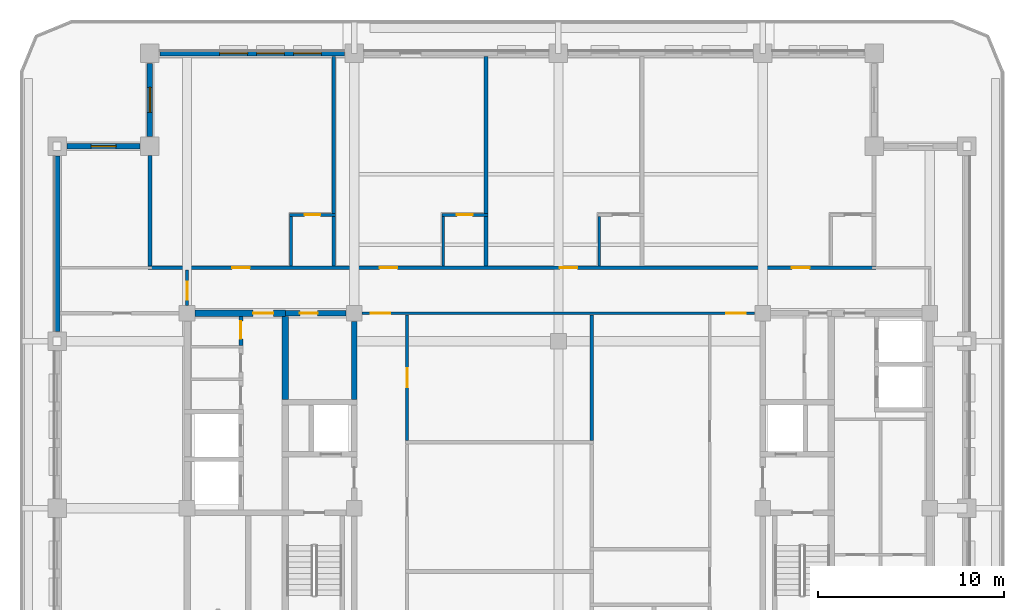
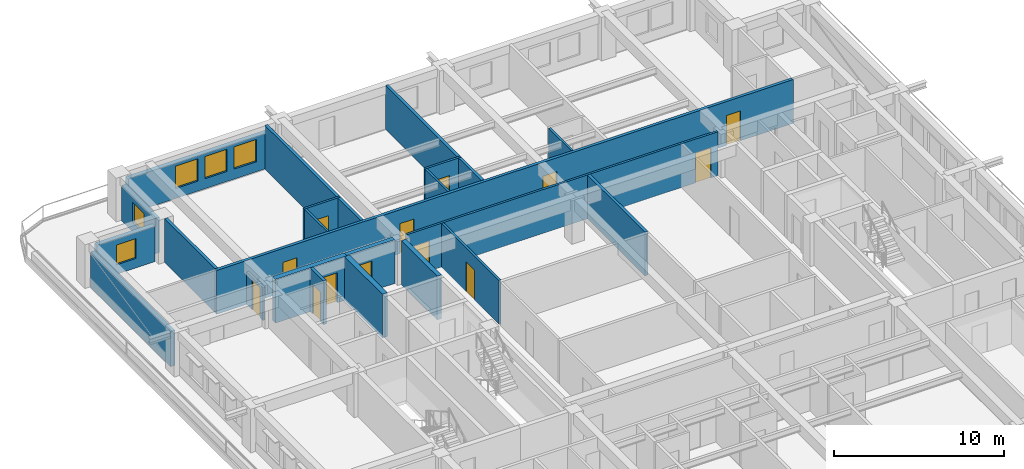
# One storey, part 6 of 15: 24 walls, 13 doors, 5 windows, 18 openings.
"""IFC4 building model written with IfcOpenShell, lengths in metres."""

from ifc_helpers import new_model, si_unit, direction, frame, frame_2d, origin, place, context, subcontext, project, spatial, rectangle, extrude, material, layer, layer_set, type_object, element, fill, save


model = new_model("IFC4")

# Units and contexts
model_context = context("Model", 3, precision=1e-05, world=origin(), true_north=direction((0.0, 1.0)))
body_context = subcontext(model_context, "Body", "Model", "MODEL_VIEW")
ifc_project = project(units=[si_unit("LENGTHUNIT", "METRE"), si_unit("AREAUNIT", "SQUARE_METRE"), si_unit("VOLUMEUNIT", "CUBIC_METRE"), si_unit("PLANEANGLEUNIT", "RADIAN"), si_unit("MASSUNIT", "GRAM", prefix="KILO")], contexts=[model_context])

# Site, building, storey
site_placement = place(None, origin())
site = spatial("IfcSite", under=ifc_project, at=site_placement, CompositionType="ELEMENT")
building_placement = place(site_placement, origin())
building = spatial("IfcBuilding", under=site, at=building_placement, Name="Zulmaris Gate Convention Tower", CompositionType="ELEMENT")
storey_placement = place(building_placement, frame((0.0, 0.0, 201.659912109375)))
storey = spatial("IfcBuildingStorey", under=building, at=storey_placement, Name="L52", CompositionType="ELEMENT", Elevation=201.659912109375)

# Wall, opening, door
ifc_material_1 = material(Name="Concrete C50/60", Category="concrete")
ifc_layer_1 = layer(ifc_material_1, 0.300048828125, Name="Concrete C50/60")
ifc_layer_set_1 = layer_set([ifc_layer_1], Name="Concrete C50/60")
wall_type_1 = type_object("IfcWallType", Name="CORE-300", PredefinedType="SHEAR", material=ifc_layer_set_1)
wall_1_placement = place(storey_placement, frame((-14.699951171875, 10.5, 0.0), z_axis=(0.0, 0.0, 1.0), x_axis=(1.0, 0.0, 0.0)))
wall_1 = element("IfcWall", 1, at=wall_1_placement, inside=storey, type_object=wall_type_1, Name="WL-L52-016", PredefinedType="SHEAR", context=body_context, shape_type="SweptSolid", body=[
    extrude(rectangle(XDim=3.27099609375, YDim=0.300048828125, at=frame_2d((1.635498046875, 0.0))), origin(), (0.0, 0.0, 1.0), 3.150146484375),
])
opening_1_placement = place(wall_1_placement, frame((0.77490234375, 0.0, 0.0)))
opening_1 = element("IfcOpeningElement", 2, at=opening_1_placement, cuts=wall_1, Name="Opening D-11", PredefinedType="OPENING", context=body_context, shape_type="SweptSolid", body=[
    extrude(rectangle(XDim=0.949951171875, YDim=2.14990234375, at=frame_2d((0.47509765625, 1.074951171875))), frame((0.0, 0.16015625, 0.0), z_axis=(0.0, -1.0, 0.0), x_axis=(1.0, 0.0, 0.0)), (0.0, 0.0, 1.0), 0.320068359375),
])
ifc_material_2 = material(Name="Fire-Rated Timber", Category="wood")
door_type_1 = type_object("IfcDoorType", Name="DR-950-FD", OperationType="NOTDEFINED", PredefinedType="DOOR", material=ifc_material_2)
door_1_placement = place(opening_1_placement, origin())
door_1 = element("IfcDoor", 3, at=door_1_placement, inside=storey, type_object=door_type_1, Name="L52 Core Archive Door 07", OperationType="SINGLE_SWING_LEFT", OverallHeight=2.14990234375, OverallWidth=0.949951171875, PredefinedType="DOOR", context=body_context, shape_type="SweptSolid", body=[
    extrude(rectangle(XDim=0.949951171875, YDim=2.14990234375, at=frame_2d((0.47509765625, 1.074951171875))), frame((0.0, 0.02490234375, 0.0), z_axis=(0.0, -1.0, 0.0), x_axis=(1.0, 0.0, 0.0)), (0.0, 0.0, 1.0), 0.050048828125),
])
fill(opening_1, door_1)

# Wall
wall_2_placement = place(storey_placement, frame((-11.0, 5.85205078125, 0.0), z_axis=(0.0, 0.0, 1.0), x_axis=(0.0, 1.0, 0.0)))
element("IfcWall", 4, at=wall_2_placement, inside=storey, type_object=wall_type_1, Name="WL-L52-061", PredefinedType="SHEAR", context=body_context, shape_type="SweptSolid", body=[
    extrude(rectangle(XDim=4.218994140625, YDim=0.300048828125, at=frame_2d((2.109375, 0.0))), origin(), (0.0, 0.0, 1.0), 3.150146484375),
])

# Wall, opening, door
ifc_material_3 = material(Name="Concrete C55/67", Category="concrete")
ifc_layer_2 = layer(ifc_material_3, 0.35009765625, Name="Concrete C55/67")
ifc_layer_set_2 = layer_set([ifc_layer_2], Name="Concrete C55/67")
wall_type_2 = type_object("IfcWallType", Name="CORE-350", PredefinedType="SHEAR", material=ifc_layer_set_2)
wall_3_placement = place(storey_placement, frame((-19.571044921875, 10.5, 0.0), z_axis=(0.0, 0.0, 1.0), x_axis=(1.0, 0.0, 0.0)))
wall_3 = element("IfcWall", 5, at=wall_3_placement, inside=storey, type_object=wall_type_2, Name="WL-L52-015", PredefinedType="SHEAR", context=body_context, shape_type="SweptSolid", body=[
    extrude(rectangle(XDim=4.87109375, YDim=0.35009765625, at=frame_2d((2.435546875, 0.0))), origin(), (0.0, 0.0, 1.0), 3.150146484375),
])
opening_2_placement = place(wall_3_placement, frame((3.12109375, 0.0, 0.0)))
opening_2 = element("IfcOpeningElement", 6, at=opening_2_placement, cuts=wall_3, Name="Opening D-08", PredefinedType="OPENING", context=body_context, shape_type="SweptSolid", body=[
    extrude(rectangle(XDim=1.10009765625, YDim=2.14990234375, at=frame_2d((0.550048828125, 1.074951171875))), frame((0.0, 0.18505859375, 0.0), z_axis=(0.0, -1.0, 0.0), x_axis=(1.0, 0.0, 0.0)), (0.0, 0.0, 1.0), 0.3701171875),
])
ifc_material_4 = material(Name="Fire-Rated Steel", Category="steel")
door_type_2 = type_object("IfcDoorType", Name="DR-1100-FD", OperationType="NOTDEFINED", PredefinedType="DOOR", material=ifc_material_4)
door_2_placement = place(opening_2_placement, origin())
door_2 = element("IfcDoor", 7, at=door_2_placement, inside=storey, type_object=door_type_2, Name="L52 High-Rise West Lift Lobby Door 13", OperationType="SINGLE_SWING_LEFT", OverallHeight=2.14990234375, OverallWidth=1.10009765625, PredefinedType="DOOR", context=body_context, shape_type="SweptSolid", body=[
    extrude(rectangle(XDim=1.10009765625, YDim=2.14990234375, at=frame_2d((0.550048828125, 1.074951171875))), frame((0.0, 0.02490234375, 0.0), z_axis=(0.0, -1.0, 0.0), x_axis=(1.0, 0.0, 0.0)), (0.0, 0.0, 1.0), 0.050048828125),
])
fill(opening_2, door_2)

# Wall
wall_4_placement = place(storey_placement, frame((-14.699951171875, 5.85205078125, 0.0), z_axis=(0.0, 0.0, 1.0), x_axis=(0.0, 1.0, 0.0)))
element("IfcWall", 8, at=wall_4_placement, inside=storey, type_object=wall_type_2, Name="WL-L52-055", PredefinedType="SHEAR", context=body_context, shape_type="SweptSolid", body=[
    extrude(rectangle(XDim=4.470947265625, YDim=0.35009765625, at=frame_2d((2.2353515625, 0.0))), origin(), (0.0, 0.0, 1.0), 3.150146484375),
])

# Wall, openings, doors
ifc_material_5 = material(Name="Gypsum Metal Stud Partition")
ifc_layer_3 = layer(ifc_material_5, 0.14990234375, Name="Gypsum Metal Stud Partition")
ifc_layer_set_3 = layer_set([ifc_layer_3], Name="Gypsum Metal Stud Partition")
wall_type_3 = type_object("IfcWallType", Name="PART-150", PredefinedType="PARTITIONING", material=ifc_layer_set_3)
wall_5_placement = place(storey_placement, frame((-10.569091796875, 10.5, 0.0), z_axis=(0.0, 0.0, 1.0), x_axis=(1.0, 0.0, 0.0)))
wall_5 = element("IfcWall", 9, at=wall_5_placement, inside=storey, type_object=wall_type_3, Name="WL-L52-037", PredefinedType="PARTITIONING", context=body_context, shape_type="SweptSolid", body=[
    extrude(rectangle(XDim=21.13818359375, YDim=0.14990234375, at=frame_2d((10.569091796875, 0.0))), origin(), (0.0, 0.0, 1.0), 3.150146484375),
])
opening_3_placement = place(wall_5_placement, frame((0.47412109375, 0.0, 0.0)))
opening_3 = element("IfcOpeningElement", 10, at=opening_3_placement, cuts=wall_5, Name="Opening D-09", PredefinedType="OPENING", context=body_context, shape_type="SweptSolid", body=[
    extrude(rectangle(XDim=1.050048828125, YDim=2.14990234375, at=frame_2d((0.52490234375, 1.074951171875))), frame((0.0, 0.0849609375, 0.0), z_axis=(0.0, -1.0, 0.0), x_axis=(1.0, 0.0, 0.0)), (0.0, 0.0, 1.0), 0.169921875),
])
opening_4_placement = place(wall_5_placement, frame((19.614013671875, 0.0, 0.0)))
opening_4 = element("IfcOpeningElement", 11, at=opening_4_placement, cuts=wall_5, Name="Opening D-09", PredefinedType="OPENING", context=body_context, shape_type="SweptSolid", body=[
    extrude(rectangle(XDim=1.050048828125, YDim=2.14990234375, at=frame_2d((0.52490234375, 1.074951171875))), frame((0.0, 0.0849609375, 0.0), z_axis=(0.0, -1.0, 0.0), x_axis=(1.0, 0.0, 0.0)), (0.0, 0.0, 1.0), 0.169921875),
])
door_type_3 = type_object("IfcDoorType", Name="DR-1050-FD", OperationType="NOTDEFINED", PredefinedType="DOOR", material=ifc_material_4)
door_3_placement = place(opening_3_placement, origin())
door_3 = element("IfcDoor", 12, at=door_3_placement, inside=storey, type_object=door_type_3, Name="L52 NW Hotel Loop Door 24", OperationType="SINGLE_SWING_RIGHT", OverallHeight=2.14990234375, OverallWidth=1.050048828125, PredefinedType="DOOR", context=body_context, shape_type="SweptSolid", body=[
    extrude(rectangle(XDim=1.050048828125, YDim=2.14990234375, at=frame_2d((0.52490234375, 1.074951171875))), frame((0.0, 0.02490234375, 0.0), z_axis=(0.0, -1.0, 0.0), x_axis=(1.0, 0.0, 0.0)), (0.0, 0.0, 1.0), 0.050048828125),
])
fill(opening_3, door_3)
door_4_placement = place(opening_4_placement, origin())
door_4 = element("IfcDoor", 13, at=door_4_placement, inside=storey, type_object=door_type_3, Name="L52 NE Hotel Loop Door 26", OperationType="SINGLE_SWING_RIGHT", OverallHeight=2.14990234375, OverallWidth=1.050048828125, PredefinedType="DOOR", context=body_context, shape_type="SweptSolid", body=[
    extrude(rectangle(XDim=1.050048828125, YDim=2.14990234375, at=frame_2d((0.52490234375, 1.074951171875))), frame((0.0, 0.02490234375, 0.0), z_axis=(0.0, -1.0, 0.0), x_axis=(1.0, 0.0, 0.0)), (0.0, 0.0, 1.0), 0.050048828125),
])
fill(opening_4, door_4)

# Wall, opening, door
wall_6_placement = place(storey_placement, frame((-14.47509765625, 15.800048828125, 0.0), z_axis=(0.0, 0.0, 1.0), x_axis=(1.0, 0.0, 0.0)))
wall_6 = element("IfcWall", 14, at=wall_6_placement, inside=storey, type_object=wall_type_3, Name="WL-L52-041", PredefinedType="PARTITIONING", context=body_context, shape_type="SweptSolid", body=[
    extrude(rectangle(XDim=2.47509765625, YDim=0.14990234375, at=frame_2d((1.237548828125, 0.0))), origin(), (0.0, 0.0, 1.0), 3.150146484375),
])
opening_5_placement = place(wall_6_placement, frame((0.800048828125, 0.0, 0.0)))
opening_5 = element("IfcOpeningElement", 15, at=opening_5_placement, cuts=wall_6, Name="Opening D-17", PredefinedType="OPENING", context=body_context, shape_type="SweptSolid", body=[
    extrude(rectangle(XDim=0.85009765625, YDim=2.10009765625, at=frame_2d((0.425048828125, 1.050048828125))), frame((0.0, 0.0849609375, 0.0), z_axis=(0.0, -1.0, 0.0), x_axis=(1.0, 0.0, 0.0)), (0.0, 0.0, 1.0), 0.169921875),
])
ifc_material_6 = material(Name="Moisture-Resistant Hardwood Timber", Category="wood")
door_type_4 = type_object("IfcDoorType", Name="DR-850", OperationType="NOTDEFINED", PredefinedType="DOOR", material=ifc_material_6)
door_5_placement = place(opening_5_placement, origin())
door_5 = element("IfcDoor", 16, at=door_5_placement, inside=storey, type_object=door_type_4, Name="L52 En-Suite Door 29", OperationType="SINGLE_SWING_LEFT", OverallHeight=2.10009765625, OverallWidth=0.85009765625, PredefinedType="DOOR", context=body_context, shape_type="SweptSolid", body=[
    extrude(rectangle(XDim=0.85009765625, YDim=2.10009765625, at=frame_2d((0.425048828125, 1.050048828125))), frame((0.0, 0.02490234375, 0.0), z_axis=(0.0, -1.0, 0.0), x_axis=(1.0, 0.0, 0.0)), (0.0, 0.0, 1.0), 0.050048828125),
])
fill(opening_5, door_5)

wall_7_placement = place(storey_placement, frame((-6.27490234375, 15.800048828125, 0.0), z_axis=(0.0, 0.0, 1.0), x_axis=(1.0, 0.0, 0.0)))
wall_7 = element("IfcWall", 17, at=wall_7_placement, inside=storey, type_object=wall_type_3, Name="WL-L52-042", PredefinedType="PARTITIONING", context=body_context, shape_type="SweptSolid", body=[
    extrude(rectangle(XDim=2.474853515625, YDim=0.14990234375, at=frame_2d((1.2373046875, 0.0))), origin(), (0.0, 0.0, 1.0), 3.150146484375),
])
opening_6_placement = place(wall_7_placement, frame((0.800048828125, 0.0, 0.0)))
opening_6 = element("IfcOpeningElement", 18, at=opening_6_placement, cuts=wall_7, Name="Opening D-17", PredefinedType="OPENING", context=body_context, shape_type="SweptSolid", body=[
    extrude(rectangle(XDim=0.85009765625, YDim=2.10009765625, at=frame_2d((0.425048828125, 1.050048828125))), frame((0.0, 0.0849609375, 0.0), z_axis=(0.0, -1.0, 0.0), x_axis=(1.0, 0.0, 0.0)), (0.0, 0.0, 1.0), 0.169921875),
])
door_6_placement = place(opening_6_placement, origin())
door_6 = element("IfcDoor", 19, at=door_6_placement, inside=storey, type_object=door_type_4, Name="L52 En-Suite Door 31", OperationType="SINGLE_SWING_LEFT", OverallHeight=2.10009765625, OverallWidth=0.85009765625, PredefinedType="DOOR", context=body_context, shape_type="SweptSolid", body=[
    extrude(rectangle(XDim=0.85009765625, YDim=2.10009765625, at=frame_2d((0.425048828125, 1.050048828125))), frame((0.0, 0.02490234375, 0.0), z_axis=(0.0, -1.0, 0.0), x_axis=(1.0, 0.0, 0.0)), (0.0, 0.0, 1.0), 0.050048828125),
])
fill(opening_6, door_6)

wall_8_placement = place(storey_placement, frame((-20.0, 10.930908203125, 0.0), z_axis=(0.0, 0.0, 1.0), x_axis=(0.0, 1.0, 0.0)))
wall_8 = element("IfcWall", 20, at=wall_8_placement, inside=storey, type_object=wall_type_3, Name="WL-L52-081", PredefinedType="PARTITIONING", context=body_context, shape_type="SweptSolid", body=[
    extrude(rectangle(XDim=1.916015625, YDim=0.14990234375, at=frame_2d((0.9580078125, 0.0))), origin(), (0.0, 0.0, 1.0), 2.34228515625),
])
opening_7_placement = place(wall_8_placement, frame((0.31396484375, 0.0, 0.0)))
opening_7 = element("IfcOpeningElement", 21, at=opening_7_placement, cuts=wall_8, Name="Opening D-11", PredefinedType="OPENING", context=body_context, shape_type="SweptSolid", body=[
    extrude(rectangle(XDim=0.949951171875, YDim=2.14990234375, at=frame_2d((0.47509765625, 1.074951171875))), frame((0.0, 0.0849609375, 0.0), z_axis=(0.0, -1.0, 0.0), x_axis=(1.0, 0.0, 0.0)), (0.0, 0.0, 1.0), 0.169921875),
])
door_7_placement = place(opening_7_placement, origin())
door_7 = element("IfcDoor", 22, at=door_7_placement, inside=storey, type_object=door_type_1, Name="L52 West Spur Door 54", OperationType="SINGLE_SWING_RIGHT", OverallHeight=2.14990234375, OverallWidth=0.949951171875, PredefinedType="DOOR", context=body_context, shape_type="SweptSolid", body=[
    extrude(rectangle(XDim=0.949951171875, YDim=2.14990234375, at=frame_2d((0.47509765625, 1.074951171875))), frame((0.0, 0.02490234375, 0.0), z_axis=(0.0, -1.0, 0.0), x_axis=(1.0, 0.0, 0.0)), (0.0, 0.0, 1.0), 0.050048828125),
])
fill(opening_7, door_7)

# Wall
wall_9_placement = place(storey_placement, frame((-14.39990234375, 13.052978515625, 0.0), z_axis=(0.0, 0.0, 1.0), x_axis=(0.0, 1.0, 0.0)))
element("IfcWall", 23, at=wall_9_placement, inside=storey, type_object=wall_type_3, Name="WL-L52-088", PredefinedType="PARTITIONING", context=body_context, shape_type="SweptSolid", body=[
    extrude(rectangle(XDim=2.6689453125, YDim=0.14990234375, at=frame_2d((1.33447265625, 0.0))), origin(), (0.0, 0.0, 1.0), 3.150146484375),
])

# Wall, opening, door
wall_10_placement = place(storey_placement, frame((-8.14990234375, 3.653076171875, 0.0), z_axis=(0.0, 0.0, 1.0), x_axis=(0.0, 1.0, 0.0)))
wall_10 = element("IfcWall", 24, at=wall_10_placement, inside=storey, type_object=wall_type_3, Name="WL-L52-096", PredefinedType="PARTITIONING", context=body_context, shape_type="SweptSolid", body=[
    extrude(rectangle(XDim=6.76904296875, YDim=0.14990234375, at=frame_2d((3.384521484375, 0.0))), origin(), (0.0, 0.0, 1.0), 3.150146484375),
])
opening_8_placement = place(wall_10_placement, frame((2.876953125, 0.0, 0.0)))
opening_8 = element("IfcOpeningElement", 25, at=opening_8_placement, cuts=wall_10, Name="Opening D-10", PredefinedType="OPENING", context=body_context, shape_type="SweptSolid", body=[
    extrude(rectangle(XDim=1.0, YDim=2.14990234375, at=frame_2d((0.5, 1.074951171875))), frame((0.0, 0.0849609375, 0.0), z_axis=(0.0, -1.0, 0.0), x_axis=(1.0, 0.0, 0.0)), (0.0, 0.0, 1.0), 0.169921875),
])
door_type_5 = type_object("IfcDoorType", Name="DR-1000-FD", OperationType="NOTDEFINED", PredefinedType="DOOR", material=ifc_material_2)
door_8_placement = place(opening_8_placement, origin())
door_8 = element("IfcDoor", 26, at=door_8_placement, inside=storey, type_object=door_type_5, Name="L52 Club Lounge Door 47", OperationType="SINGLE_SWING_LEFT", OverallHeight=2.14990234375, OverallWidth=1.0, PredefinedType="DOOR", context=body_context, shape_type="SweptSolid", body=[
    extrude(rectangle(XDim=1.0, YDim=2.14990234375, at=frame_2d((0.5, 1.074951171875))), frame((0.0, 0.02490234375, 0.0), z_axis=(0.0, -1.0, 0.0), x_axis=(1.0, 0.0, 0.0)), (0.0, 0.0, 1.0), 0.050048828125),
])
fill(opening_8, door_8)

# Walls
for number, where, z_axis, x_axis, name in (
    (27, (-6.199951171875, 13.052978515625, 0.0), (0.0, 0.0, 1.0), (0.0, 1.0, 0.0), "WL-L52-098"),
    (28, (2.199951171875, 13.052978515625, 0.0), (0.0, 0.0, 1.0), (0.0, 1.0, 0.0), "WL-L52-109"),
):
    element("IfcWall", number, at=place(storey_placement, frame(where, z_axis=z_axis, x_axis=x_axis)), inside=storey, type_object=wall_type_3, Name=name, PredefinedType="PARTITIONING", context=body_context, shape_type="SweptSolid", body=[
        extrude(rectangle(XDim=2.6689453125, YDim=0.14990234375, at=frame_2d((1.33447265625, 0.0))), origin(), (0.0, 0.0, 1.0), 3.150146484375),
    ])

# Wall, openings, doors
ifc_material_7 = material(Name="Autoclaved Aerated Concrete Block and Plasterboard", Category="concrete")
ifc_layer_4 = layer(ifc_material_7, 0.199951171875, Name="Autoclaved Aerated Concrete Block and Plasterboard")
ifc_layer_set_4 = layer_set([ifc_layer_4], Name="Autoclaved Aerated Concrete Block and Plasterboard")
wall_type_4 = type_object("IfcWallType", Name="PART-200", PredefinedType="PARTITIONING", material=ifc_layer_set_4)
wall_11_placement = place(storey_placement, frame((-22.10009765625, 12.949951171875, 0.0), z_axis=(0.0, 0.0, 1.0), x_axis=(1.0, 0.0, 0.0)))
wall_11 = element("IfcWall", 29, at=wall_11_placement, inside=storey, type_object=wall_type_4, Name="WL-L52-039", PredefinedType="PARTITIONING", context=body_context, shape_type="SweptSolid", body=[
    extrude(rectangle(XDim=39.2001953125, YDim=0.199951171875, at=frame_2d((19.60009765625, 0.0))), origin(), (0.0, 0.0, 1.0), 3.150146484375),
])
opening_9_placement = place(wall_11_placement, frame((4.52490234375, 0.0, 0.0)))
opening_9 = element("IfcOpeningElement", 30, at=opening_9_placement, cuts=wall_11, Name="Opening D-11", PredefinedType="OPENING", context=body_context, shape_type="SweptSolid", body=[
    extrude(rectangle(XDim=0.949951171875, YDim=2.14990234375, at=frame_2d((0.47509765625, 1.074951171875))), frame((0.0, 0.10986328125, 0.0), z_axis=(0.0, -1.0, 0.0), x_axis=(1.0, 0.0, 0.0)), (0.0, 0.0, 1.0), 0.219970703125),
])
opening_10_placement = place(wall_11_placement, frame((12.47509765625, 0.0, 0.0)))
opening_10 = element("IfcOpeningElement", 31, at=opening_10_placement, cuts=wall_11, Name="Opening D-11", PredefinedType="OPENING", context=body_context, shape_type="SweptSolid", body=[
    extrude(rectangle(XDim=0.949951171875, YDim=2.14990234375, at=frame_2d((0.47509765625, 1.074951171875))), frame((0.0, 0.10986328125, 0.0), z_axis=(0.0, -1.0, 0.0), x_axis=(1.0, 0.0, 0.0)), (0.0, 0.0, 1.0), 0.219970703125),
])
opening_11_placement = place(wall_11_placement, frame((22.175048828125, 0.0, 0.0)))
opening_11 = element("IfcOpeningElement", 32, at=opening_11_placement, cuts=wall_11, Name="Opening D-11", PredefinedType="OPENING", context=body_context, shape_type="SweptSolid", body=[
    extrude(rectangle(XDim=0.949951171875, YDim=2.14990234375, at=frame_2d((0.47509765625, 1.074951171875))), frame((0.0, 0.10986328125, 0.0), z_axis=(0.0, -1.0, 0.0), x_axis=(1.0, 0.0, 0.0)), (0.0, 0.0, 1.0), 0.219970703125),
])
opening_12_placement = place(wall_11_placement, frame((34.675048828125, 0.0, 0.0)))
opening_12 = element("IfcOpeningElement", 33, at=opening_12_placement, cuts=wall_11, Name="Opening D-11", PredefinedType="OPENING", context=body_context, shape_type="SweptSolid", body=[
    extrude(rectangle(XDim=0.949951171875, YDim=2.14990234375, at=frame_2d((0.47509765625, 1.074951171875))), frame((0.0, 0.10986328125, 0.0), z_axis=(0.0, -1.0, 0.0), x_axis=(1.0, 0.0, 0.0)), (0.0, 0.0, 1.0), 0.219970703125),
])
door_9_placement = place(opening_9_placement, origin())
door_9 = element("IfcDoor", 34, at=door_9_placement, inside=storey, type_object=door_type_1, Name="L52 Hotel Diplomatic Suite Door 28", OperationType="SINGLE_SWING_RIGHT", OverallHeight=2.14990234375, OverallWidth=0.949951171875, PredefinedType="DOOR", context=body_context, shape_type="SweptSolid", body=[
    extrude(rectangle(XDim=0.949951171875, YDim=2.14990234375, at=frame_2d((0.47509765625, 1.074951171875))), frame((0.0, 0.02490234375, 0.0), z_axis=(0.0, -1.0, 0.0), x_axis=(1.0, 0.0, 0.0)), (0.0, 0.0, 1.0), 0.050048828125),
])
fill(opening_9, door_9)
door_10_placement = place(opening_10_placement, origin())
door_10 = element("IfcDoor", 35, at=door_10_placement, inside=storey, type_object=door_type_1, Name="L52 Hotel Diplomatic Suite Door 30", OperationType="SINGLE_SWING_RIGHT", OverallHeight=2.14990234375, OverallWidth=0.949951171875, PredefinedType="DOOR", context=body_context, shape_type="SweptSolid", body=[
    extrude(rectangle(XDim=0.949951171875, YDim=2.14990234375, at=frame_2d((0.47509765625, 1.074951171875))), frame((0.0, 0.02490234375, 0.0), z_axis=(0.0, -1.0, 0.0), x_axis=(1.0, 0.0, 0.0)), (0.0, 0.0, 1.0), 0.050048828125),
])
fill(opening_10, door_10)
door_11_placement = place(opening_11_placement, origin())
door_11 = element("IfcDoor", 36, at=door_11_placement, inside=storey, type_object=door_type_1, Name="L52 Hotel Diplomatic Suite Door 32", OperationType="SINGLE_SWING_RIGHT", OverallHeight=2.14990234375, OverallWidth=0.949951171875, PredefinedType="DOOR", context=body_context, shape_type="SweptSolid", body=[
    extrude(rectangle(XDim=0.949951171875, YDim=2.14990234375, at=frame_2d((0.47509765625, 1.074951171875))), frame((0.0, 0.02490234375, 0.0), z_axis=(0.0, -1.0, 0.0), x_axis=(1.0, 0.0, 0.0)), (0.0, 0.0, 1.0), 0.050048828125),
])
fill(opening_11, door_11)
door_12_placement = place(opening_12_placement, origin())
door_12 = element("IfcDoor", 37, at=door_12_placement, inside=storey, type_object=door_type_1, Name="L52 Hotel Diplomatic Suite Door 34", OperationType="SINGLE_SWING_RIGHT", OverallHeight=2.14990234375, OverallWidth=0.949951171875, PredefinedType="DOOR", context=body_context, shape_type="SweptSolid", body=[
    extrude(rectangle(XDim=0.949951171875, YDim=2.14990234375, at=frame_2d((0.47509765625, 1.074951171875))), frame((0.0, 0.02490234375, 0.0), z_axis=(0.0, -1.0, 0.0), x_axis=(1.0, 0.0, 0.0)), (0.0, 0.0, 1.0), 0.050048828125),
])
fill(opening_12, door_12)

# Wall
wall_12_placement = place(storey_placement, frame((-22.0, 13.052978515625, 0.0), z_axis=(0.0, 0.0, 1.0), x_axis=(0.0, 1.0, 0.0)))
element("IfcWall", 38, at=wall_12_placement, inside=storey, type_object=wall_type_4, Name="WL-L52-079", PredefinedType="PARTITIONING", context=body_context, shape_type="SweptSolid", body=[
    extrude(rectangle(XDim=5.94091796875, YDim=0.199951171875, at=frame_2d((2.970458984375, 0.0))), origin(), (0.0, 0.0, 1.0), 3.150146484375),
])

# Wall, opening, door
wall_13_placement = place(storey_placement, frame((-17.10009765625, 8.778076171875, 0.0), z_axis=(0.0, 0.0, 1.0), x_axis=(0.0, 1.0, 0.0)))
wall_13 = element("IfcWall", 39, at=wall_13_placement, inside=storey, type_object=wall_type_4, Name="WL-L52-085", PredefinedType="PARTITIONING", context=body_context, shape_type="SweptSolid", body=[
    extrude(rectangle(XDim=1.5439453125, YDim=0.199951171875, at=frame_2d((0.77197265625, 0.0))), origin(), (0.0, 0.0, 1.0), 3.150146484375),
])
opening_13_placement = place(wall_13_placement, frame((0.346923828125, 0.0, 0.0)))
opening_13 = element("IfcOpeningElement", 40, at=opening_13_placement, cuts=wall_13, Name="Opening D-11", PredefinedType="OPENING", context=body_context, shape_type="SweptSolid", body=[
    extrude(rectangle(XDim=0.949951171875, YDim=2.14990234375, at=frame_2d((0.47509765625, 1.074951171875))), frame((0.0, 0.10986328125, 0.0), z_axis=(0.0, -1.0, 0.0), x_axis=(1.0, 0.0, 0.0)), (0.0, 0.0, 1.0), 0.219970703125),
])
door_13_placement = place(opening_13_placement, origin())
door_13 = element("IfcDoor", 41, at=door_13_placement, inside=storey, type_object=door_type_1, Name="L52 Housekeeping Door 14", OperationType="SINGLE_SWING_RIGHT", OverallHeight=2.14990234375, OverallWidth=0.949951171875, PredefinedType="DOOR", context=body_context, shape_type="SweptSolid", body=[
    extrude(rectangle(XDim=0.949951171875, YDim=2.14990234375, at=frame_2d((0.47509765625, 1.074951171875))), frame((0.0, 0.02490234375, 0.0), z_axis=(0.0, -1.0, 0.0), x_axis=(1.0, 0.0, 0.0)), (0.0, 0.0, 1.0), 0.050048828125),
])
fill(opening_13, door_13)

# Walls
wall_14_placement = place(storey_placement, frame((-12.10009765625, 13.052978515625, 0.0), z_axis=(0.0, 0.0, 1.0), x_axis=(0.0, 1.0, 0.0)))
element("IfcWall", 42, at=wall_14_placement, inside=storey, type_object=wall_type_4, Name="WL-L52-090", PredefinedType="PARTITIONING", context=body_context, shape_type="SweptSolid", body=[
    extrude(rectangle(XDim=2.6689453125, YDim=0.199951171875, at=frame_2d((1.33447265625, 0.0))), origin(), (0.0, 0.0, 1.0), 3.150146484375),
])
wall_15_placement = place(storey_placement, frame((-12.10009765625, 15.8779296875, 0.0), z_axis=(0.0, 0.0, 1.0), x_axis=(0.0, 1.0, 0.0)))
element("IfcWall", 43, at=wall_15_placement, inside=storey, type_object=wall_type_4, Name="WL-L52-091", PredefinedType="PARTITIONING", context=body_context, shape_type="SweptSolid", body=[
    extrude(rectangle(XDim=8.45703125, YDim=0.199951171875, at=frame_2d((4.228515625, 0.0))), origin(), (0.0, 0.0, 1.0), 3.150146484375),
])
wall_16_placement = place(storey_placement, frame((-3.89990234375, 13.052978515625, 0.0), z_axis=(0.0, 0.0, 1.0), x_axis=(0.0, 1.0, 0.0)))
element("IfcWall", 44, at=wall_16_placement, inside=storey, type_object=wall_type_4, Name="WL-L52-099", PredefinedType="PARTITIONING", context=body_context, shape_type="SweptSolid", body=[
    extrude(rectangle(XDim=2.6689453125, YDim=0.199951171875, at=frame_2d((1.33447265625, 0.0))), origin(), (0.0, 0.0, 1.0), 3.150146484375),
])
wall_17_placement = place(storey_placement, frame((-3.89990234375, 15.8779296875, 0.0), z_axis=(0.0, 0.0, 1.0), x_axis=(0.0, 1.0, 0.0)))
element("IfcWall", 45, at=wall_17_placement, inside=storey, type_object=wall_type_4, Name="WL-L52-100", PredefinedType="PARTITIONING", context=body_context, shape_type="SweptSolid", body=[
    extrude(rectangle(XDim=8.45703125, YDim=0.199951171875, at=frame_2d((4.228515625, 0.0))), origin(), (0.0, 0.0, 1.0), 3.150146484375),
])
wall_18_placement = place(storey_placement, frame((1.800048828125, 3.653076171875, 0.0), z_axis=(0.0, 0.0, 1.0), x_axis=(0.0, 1.0, 0.0)))
element("IfcWall", 46, at=wall_18_placement, inside=storey, type_object=wall_type_4, Name="WL-L52-108", PredefinedType="PARTITIONING", context=body_context, shape_type="SweptSolid", body=[
    extrude(rectangle(XDim=6.76904296875, YDim=0.199951171875, at=frame_2d((3.384521484375, 0.0))), origin(), (0.0, 0.0, 1.0), 3.150146484375),
])

# Wall, opening, window
ifc_material_8 = material(Name="Precast concrete C40/50", Category="concrete")
ifc_layer_5 = layer(ifc_material_8, 0.300048828125, Name="Precast concrete C40/50")
ifc_layer_set_5 = layer_set([ifc_layer_5], Name="Precast concrete C40/50")
wall_type_5 = type_object("IfcWallType", Name="PRECAST-PIER-300", PredefinedType="STANDARD", material=ifc_layer_set_5)
wall_19_placement = place(storey_placement, frame((-22.0, 23.969970703125, 0.0), z_axis=(0.0, 0.0, 1.0), x_axis=(0.0, -1.0, 0.0)))
wall_19 = element("IfcWall", 47, at=wall_19_placement, inside=storey, type_object=wall_type_5, Name="EW-L52-NOTCH-NW1_0", PredefinedType="STANDARD", context=body_context, shape_type="SweptSolid", body=[
    extrude(rectangle(XDim=3.93994140625, YDim=0.300048828125, at=frame_2d((1.969970703125, 0.0))), origin(), (0.0, 0.0, 1.0), 2.542236328125),
])
opening_14_placement = place(wall_19_placement, frame((1.294921875, 0.0, 0.679931640625)))
opening_14 = element("IfcOpeningElement", 48, at=opening_14_placement, cuts=wall_19, Name="Opening W-10", PredefinedType="OPENING", context=body_context, shape_type="SweptSolid", body=[
    extrude(rectangle(XDim=1.35009765625, YDim=1.419921875, at=frame_2d((0.675048828125, 0.7099609375))), frame((0.0, 0.16015625, 0.0), z_axis=(0.0, -1.0, 0.0), x_axis=(1.0, 0.0, 0.0)), (0.0, 0.0, 1.0), 0.320068359375),
])
ifc_material_9 = material(Name="Low-E Laminated Double Glazing in Aluminium Frame", Category="aluminium")
window_type_1 = type_object("IfcWindowType", Name="WIN-1350x2000", PartitioningType="SINGLE_PANEL", PredefinedType="WINDOW", material=ifc_material_9)
window_1_placement = place(opening_14_placement, origin())
window_1 = element("IfcWindow", 49, at=window_1_placement, inside=storey, type_object=window_type_1, Name="WN-EW-L52-NOTCH-NW1_0", OverallHeight=1.419921875, OverallWidth=1.35009765625, PartitioningType="SINGLE_PANEL", PredefinedType="WINDOW", context=body_context, shape_type="SweptSolid", body=[
    extrude(rectangle(XDim=1.35009765625, YDim=1.419921875, at=frame_2d((0.675048828125, 0.7099609375))), frame((0.0, 0.030029296875, 0.0), z_axis=(0.0, -1.0, 0.0), x_axis=(1.0, 0.0, 0.0)), (0.0, 0.0, 1.0), 0.06005859375),
])
fill(opening_14, window_1)

wall_20_placement = place(storey_placement, frame((-22.530029296875, 19.5, 0.0), z_axis=(0.0, 0.0, 1.0), x_axis=(-1.0, 0.0, 0.0)))
wall_20 = element("IfcWall", 50, at=wall_20_placement, inside=storey, type_object=wall_type_5, Name="EW-L52-NOTCH-NW2_0", PredefinedType="STANDARD", context=body_context, shape_type="SweptSolid", body=[
    extrude(rectangle(XDim=3.93994140625, YDim=0.300048828125, at=frame_2d((1.969970703125, 0.0))), origin(), (0.0, 0.0, 1.0), 2.542236328125),
])
opening_15_placement = place(wall_20_placement, frame((1.294921875, 0.0, 0.679931640625)))
opening_15 = element("IfcOpeningElement", 51, at=opening_15_placement, cuts=wall_20, Name="Opening W-10", PredefinedType="OPENING", context=body_context, shape_type="SweptSolid", body=[
    extrude(rectangle(XDim=1.35009765625, YDim=1.419921875, at=frame_2d((0.675048828125, 0.7099609375))), frame((0.0, 0.16015625, 0.0), z_axis=(0.0, -1.0, 0.0), x_axis=(1.0, 0.0, 0.0)), (0.0, 0.0, 1.0), 0.320068359375),
])
window_2_placement = place(opening_15_placement, origin())
window_2 = element("IfcWindow", 52, at=window_2_placement, inside=storey, type_object=window_type_1, Name="WN-EW-L52-NOTCH-NW2_0", OverallHeight=1.419921875, OverallWidth=1.35009765625, PartitioningType="SINGLE_PANEL", PredefinedType="WINDOW", context=body_context, shape_type="SweptSolid", body=[
    extrude(rectangle(XDim=1.35009765625, YDim=1.419921875, at=frame_2d((0.675048828125, 0.7099609375))), frame((0.0, 0.030029296875, 0.0), z_axis=(0.0, -1.0, 0.0), x_axis=(1.0, 0.0, 0.0)), (0.0, 0.0, 1.0), 0.06005859375),
])
fill(opening_15, window_2)

# Wall, openings, windows
wall_21_placement = place(storey_placement, frame((-11.530029296875, 24.5, 0.0), z_axis=(0.0, 0.0, 1.0), x_axis=(-1.0, 0.0, 0.0)))
wall_21 = element("IfcWall", 53, at=wall_21_placement, inside=storey, type_object=wall_type_5, Name="EW-L52-N-0_0", PredefinedType="STANDARD", context=body_context, shape_type="SweptSolid", body=[
    extrude(rectangle(XDim=9.93994140625, YDim=0.300048828125, at=frame_2d((4.969970703125, 0.0))), origin(), (0.0, 0.0, 1.0), 2.542236328125),
])
opening_16_placement = place(wall_21_placement, frame((1.238037109375, 0.0, 0.719970703125)))
opening_16 = element("IfcOpeningElement", 54, at=opening_16_placement, cuts=wall_21, Name="Opening W-03", PredefinedType="OPENING", context=body_context, shape_type="SweptSolid", body=[
    extrude(rectangle(XDim=1.5, YDim=1.60009765625, at=frame_2d((0.75, 0.800048828125))), frame((0.0, 0.16015625, 0.0), z_axis=(0.0, -1.0, 0.0), x_axis=(1.0, 0.0, 0.0)), (0.0, 0.0, 1.0), 0.320068359375),
])
opening_17_placement = place(wall_21_placement, frame((3.22607421875, 0.0, 0.719970703125)))
opening_17 = element("IfcOpeningElement", 55, at=opening_17_placement, cuts=wall_21, Name="Opening W-03", PredefinedType="OPENING", context=body_context, shape_type="SweptSolid", body=[
    extrude(rectangle(XDim=1.5, YDim=1.60009765625, at=frame_2d((0.75, 0.800048828125))), frame((0.0, 0.16015625, 0.0), z_axis=(0.0, -1.0, 0.0), x_axis=(1.0, 0.0, 0.0)), (0.0, 0.0, 1.0), 0.320068359375),
])
opening_18_placement = place(wall_21_placement, frame((5.214111328125, 0.0, 0.719970703125)))
opening_18 = element("IfcOpeningElement", 56, at=opening_18_placement, cuts=wall_21, Name="Opening W-03", PredefinedType="OPENING", context=body_context, shape_type="SweptSolid", body=[
    extrude(rectangle(XDim=1.5, YDim=1.60009765625, at=frame_2d((0.75, 0.800048828125))), frame((0.0, 0.16015625, 0.0), z_axis=(0.0, -1.0, 0.0), x_axis=(1.0, 0.0, 0.0)), (0.0, 0.0, 1.0), 0.320068359375),
])
window_type_2 = type_object("IfcWindowType", Name="WIN-1500x2100", PartitioningType="SINGLE_PANEL", PredefinedType="WINDOW", material=ifc_material_9)
window_3_placement = place(opening_16_placement, origin())
window_3 = element("IfcWindow", 57, at=window_3_placement, inside=storey, type_object=window_type_2, Name="WN-EW-L52-N-0_0-1", OverallHeight=1.60009765625, OverallWidth=1.5, PartitioningType="SINGLE_PANEL", PredefinedType="WINDOW", context=body_context, shape_type="SweptSolid", body=[
    extrude(rectangle(XDim=1.5, YDim=1.60009765625, at=frame_2d((0.75, 0.800048828125))), frame((0.0, 0.030029296875, 0.0), z_axis=(0.0, -1.0, 0.0), x_axis=(1.0, 0.0, 0.0)), (0.0, 0.0, 1.0), 0.06005859375),
])
fill(opening_16, window_3)
window_4_placement = place(opening_17_placement, origin())
window_4 = element("IfcWindow", 58, at=window_4_placement, inside=storey, type_object=window_type_2, Name="WN-EW-L52-N-0_0-2", OverallHeight=1.60009765625, OverallWidth=1.5, PartitioningType="SINGLE_PANEL", PredefinedType="WINDOW", context=body_context, shape_type="SweptSolid", body=[
    extrude(rectangle(XDim=1.5, YDim=1.60009765625, at=frame_2d((0.75, 0.800048828125))), frame((0.0, 0.030029296875, 0.0), z_axis=(0.0, -1.0, 0.0), x_axis=(1.0, 0.0, 0.0)), (0.0, 0.0, 1.0), 0.06005859375),
])
fill(opening_17, window_4)
window_5_placement = place(opening_18_placement, origin())
window_5 = element("IfcWindow", 59, at=window_5_placement, inside=storey, type_object=window_type_2, Name="WN-EW-L52-N-0_0-3", OverallHeight=1.60009765625, OverallWidth=1.5, PartitioningType="SINGLE_PANEL", PredefinedType="WINDOW", context=body_context, shape_type="SweptSolid", body=[
    extrude(rectangle(XDim=1.5, YDim=1.60009765625, at=frame_2d((0.75, 0.800048828125))), frame((0.0, 0.030029296875, 0.0), z_axis=(0.0, -1.0, 0.0), x_axis=(1.0, 0.0, 0.0)), (0.0, 0.0, 1.0), 0.06005859375),
])
fill(opening_18, window_5)

# Wall
wall_22_placement = place(storey_placement, frame((-27.0, 18.969970703125, 0.0), z_axis=(0.0, 0.0, 1.0), x_axis=(0.0, -1.0, 0.0)))
element("IfcWall", 60, at=wall_22_placement, inside=storey, type_object=wall_type_5, Name="EW-L52-W-3_0", PredefinedType="STANDARD", context=body_context, shape_type="SweptSolid", body=[
    extrude(rectangle(XDim=9.43994140625, YDim=0.300048828125, at=frame_2d((4.719970703125, 0.0))), origin(), (0.0, 0.0, 1.0), 2.542236328125),
])

save(model, "model.ifc")
